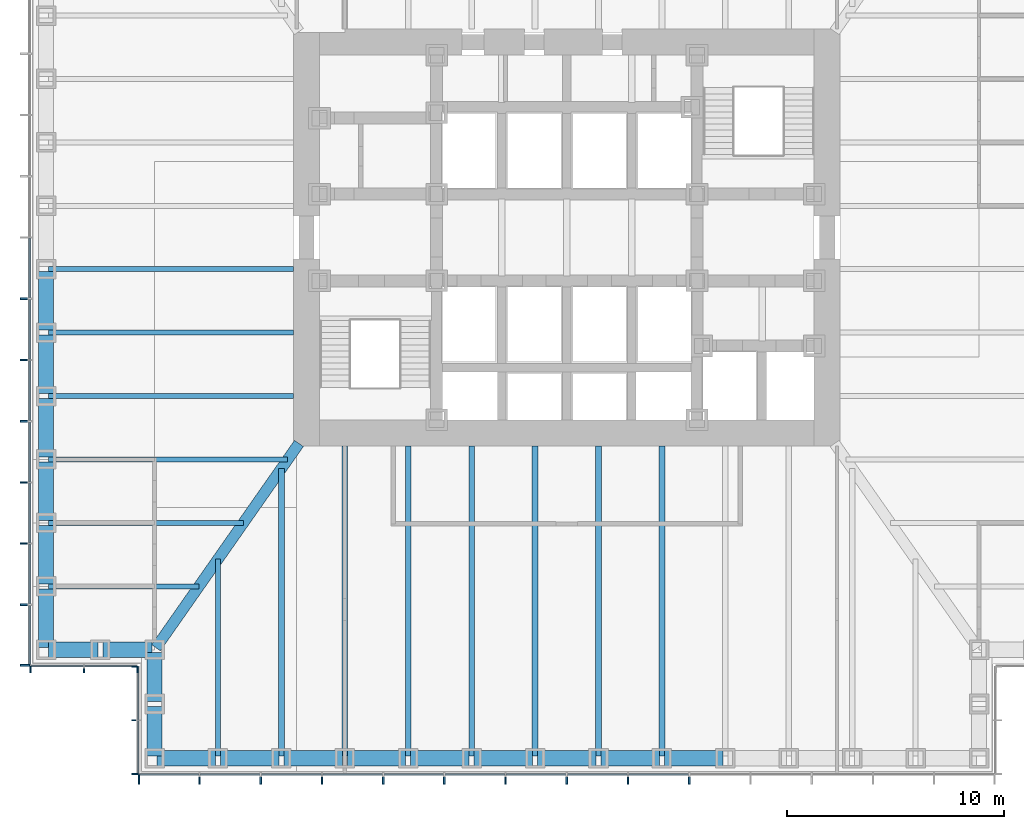
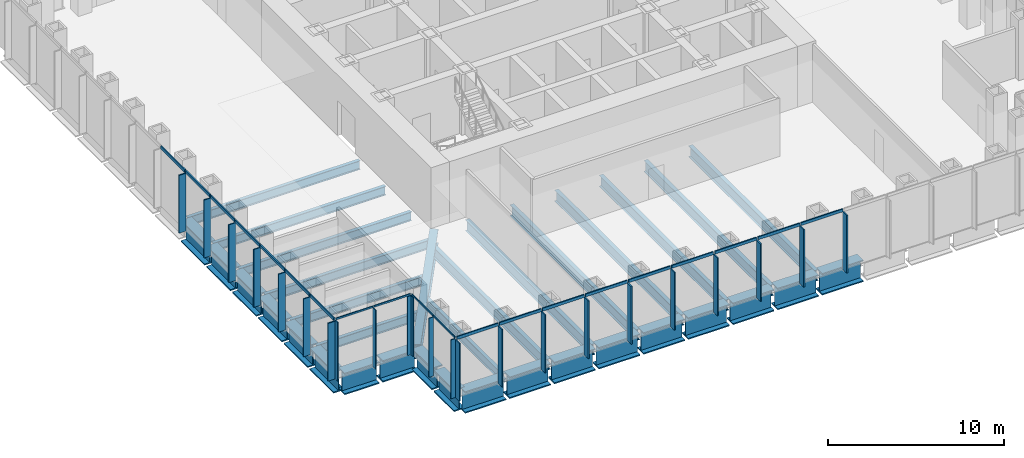
# One storey, part 2 of 17: 43 members, 34 beams, 4 elements without a shape of their own.
"""IFC4 building model written with IfcOpenShell, lengths in metres."""

from ifc_helpers import new_model, si_unit, direction, frame, origin, origin_2d, place, context, subcontext, project, spatial, rectangle, i_section, extrude, material, material_profile, profile_set, type_object, element, aggregate, save


model = new_model("IFC4")

# Units and contexts
model_context = context("Model", 3, precision=1e-05, world=origin(), true_north=direction((0.0, 1.0)))
body_context = subcontext(model_context, "Body", "Model", "MODEL_VIEW")
ifc_project = project(units=[si_unit("LENGTHUNIT", "METRE"), si_unit("AREAUNIT", "SQUARE_METRE"), si_unit("VOLUMEUNIT", "CUBIC_METRE"), si_unit("PLANEANGLEUNIT", "RADIAN"), si_unit("MASSUNIT", "GRAM", prefix="KILO")], contexts=[model_context])

# Site, building, storey
site_placement = place(None, origin())
site = spatial("IfcSite", under=ifc_project, at=site_placement, CompositionType="ELEMENT")
building_placement = place(site_placement, origin())
building = spatial("IfcBuilding", under=site, at=building_placement, Name="Daluyong Arena Tower", CompositionType="ELEMENT")
storey_placement = place(building_placement, frame((0.0, 0.0, 55.89990234375)))
storey = spatial("IfcBuildingStorey", under=building, at=storey_placement, Name="L11", CompositionType="ELEMENT", Elevation=55.89990234375)

# Curtain wall, members
ifc_material_1 = material(Name="Bronze anodised aluminium and glass", Category="aluminium")
curtain_wall_type_1 = type_object("IfcCurtainWallType", Name="Curtain wall CW1", PredefinedType="USERDEFINED", material=ifc_material_1)
curtain_wall_1_placement = place(storey_placement, origin())
curtain_wall_1 = element("IfcCurtainWall", 1, at=curtain_wall_1_placement, inside=storey, type_object=curtain_wall_type_1, Name="curtain wall L11 S", ObjectType="UNITISED CURTAIN WALL", PredefinedType="USERDEFINED")
ifc_material_2 = material(Name="Bronze anodised aluminium fin", Category="aluminium")
ifc_material_profile_1 = material_profile(ifc_material_2, rectangle(XDim=0.449951171875, YDim=0.080078125, at=origin_2d()))
ifc_profile_set_1 = profile_set([ifc_material_profile_1], Name="Bronze anodised aluminium fin")
member_type_1 = type_object("IfcMemberType", Name="CW1 bronze fin 450x80", PredefinedType="MULLION", material=ifc_profile_set_1)
member_1_placement = place(storey_placement, frame((36.2900390625, 55.02490234375, 0.0), z_axis=(0.0, 0.0, 1.0), x_axis=(0.0, 1.0, 0.0)))
member_1 = element("IfcMember", 2, at=member_1_placement, type_object=member_type_1, Name="curtain wall L11 S fin 1", PredefinedType="MULLION", context=body_context, shape_type="SweptSolid", body=[
    extrude(rectangle(XDim=0.449951171875, YDim=0.080078125, at=origin_2d()), origin(), (0.0, 0.0, 1.0), 4.0),
])
member_2_placement = place(storey_placement, frame((39.071533203125, 55.02490234375, 0.0), z_axis=(0.0, 0.0, 1.0), x_axis=(0.0, 1.0, 0.0)))
member_2 = element("IfcMember", 3, at=member_2_placement, type_object=member_type_1, Name="curtain wall L11 S fin 2", PredefinedType="MULLION", context=body_context, shape_type="SweptSolid", body=[
    extrude(rectangle(XDim=0.449951171875, YDim=0.080078125, at=origin_2d()), origin(), (0.0, 0.0, 1.0), 4.0),
])
member_3_placement = place(storey_placement, frame((41.892822265625, 55.02490234375, 0.0), z_axis=(0.0, 0.0, 1.0), x_axis=(0.0, 1.0, 0.0)))
member_3 = element("IfcMember", 4, at=member_3_placement, type_object=member_type_1, Name="curtain wall L11 S fin 3", PredefinedType="MULLION", context=body_context, shape_type="SweptSolid", body=[
    extrude(rectangle(XDim=0.449951171875, YDim=0.080078125, at=origin_2d()), origin(), (0.0, 0.0, 1.0), 4.0),
])
member_4_placement = place(storey_placement, frame((44.71435546875, 55.02490234375, 0.0), z_axis=(0.0, 0.0, 1.0), x_axis=(0.0, 1.0, 0.0)))
member_4 = element("IfcMember", 5, at=member_4_placement, type_object=member_type_1, Name="curtain wall L11 S fin 4", PredefinedType="MULLION", context=body_context, shape_type="SweptSolid", body=[
    extrude(rectangle(XDim=0.449951171875, YDim=0.080078125, at=origin_2d()), origin(), (0.0, 0.0, 1.0), 4.0),
])
member_5_placement = place(storey_placement, frame((47.53564453125, 55.02490234375, 0.0), z_axis=(0.0, 0.0, 1.0), x_axis=(0.0, 1.0, 0.0)))
member_5 = element("IfcMember", 6, at=member_5_placement, type_object=member_type_1, Name="curtain wall L11 S fin 5", PredefinedType="MULLION", context=body_context, shape_type="SweptSolid", body=[
    extrude(rectangle(XDim=0.449951171875, YDim=0.080078125, at=origin_2d()), origin(), (0.0, 0.0, 1.0), 4.0),
])
member_6_placement = place(storey_placement, frame((50.357177734375, 55.02490234375, 0.0), z_axis=(0.0, 0.0, 1.0), x_axis=(0.0, 1.0, 0.0)))
member_6 = element("IfcMember", 7, at=member_6_placement, type_object=member_type_1, Name="curtain wall L11 S fin 6", PredefinedType="MULLION", context=body_context, shape_type="SweptSolid", body=[
    extrude(rectangle(XDim=0.449951171875, YDim=0.080078125, at=origin_2d()), origin(), (0.0, 0.0, 1.0), 4.0),
])
member_7_placement = place(storey_placement, frame((53.178466796875, 55.02490234375, 0.0), z_axis=(0.0, 0.0, 1.0), x_axis=(0.0, 1.0, 0.0)))
member_7 = element("IfcMember", 8, at=member_7_placement, type_object=member_type_1, Name="curtain wall L11 S fin 7", PredefinedType="MULLION", context=body_context, shape_type="SweptSolid", body=[
    extrude(rectangle(XDim=0.449951171875, YDim=0.080078125, at=origin_2d()), origin(), (0.0, 0.0, 1.0), 4.0),
])
member_8_placement = place(storey_placement, frame((56.0, 55.02490234375, 0.0), z_axis=(0.0, 0.0, 1.0), x_axis=(0.0, 1.0, 0.0)))
member_8 = element("IfcMember", 9, at=member_8_placement, type_object=member_type_1, Name="curtain wall L11 S fin 8", PredefinedType="MULLION", context=body_context, shape_type="SweptSolid", body=[
    extrude(rectangle(XDim=0.449951171875, YDim=0.080078125, at=origin_2d()), origin(), (0.0, 0.0, 1.0), 4.0),
])
member_9_placement = place(storey_placement, frame((58.821533203125, 55.02490234375, 0.0), z_axis=(0.0, 0.0, 1.0), x_axis=(0.0, 1.0, 0.0)))
member_9 = element("IfcMember", 10, at=member_9_placement, type_object=member_type_1, Name="curtain wall L11 S fin 9", PredefinedType="MULLION", context=body_context, shape_type="SweptSolid", body=[
    extrude(rectangle(XDim=0.449951171875, YDim=0.080078125, at=origin_2d()), origin(), (0.0, 0.0, 1.0), 4.0),
])
member_10_placement = place(storey_placement, frame((61.642822265625, 55.02490234375, 0.0), z_axis=(0.0, 0.0, 1.0), x_axis=(0.0, 1.0, 0.0)))
member_10 = element("IfcMember", 11, at=member_10_placement, type_object=member_type_1, Name="curtain wall L11 S fin 10", PredefinedType="MULLION", context=body_context, shape_type="SweptSolid", body=[
    extrude(rectangle(XDim=0.449951171875, YDim=0.080078125, at=origin_2d()), origin(), (0.0, 0.0, 1.0), 4.0),
])

curtain_wall_2_placement = place(storey_placement, origin())
curtain_wall_2 = element("IfcCurtainWall", 12, at=curtain_wall_2_placement, inside=storey, type_object=curtain_wall_type_1, Name="curtain wall L11 W", ObjectType="UNITISED CURTAIN WALL", PredefinedType="USERDEFINED")
member_11_placement = place(storey_placement, frame((31.02490234375, 77.178466796875, 0.0), z_axis=(0.0, 0.0, 1.0), x_axis=(1.0, 0.0, 0.0)))
member_11 = element("IfcMember", 13, at=member_11_placement, type_object=member_type_1, Name="curtain wall L11 W fin 9", PredefinedType="MULLION", context=body_context, shape_type="SweptSolid", body=[
    extrude(rectangle(XDim=0.449951171875, YDim=0.080078125, at=origin_2d()), origin(), (0.0, 0.0, 1.0), 4.0),
])
member_12_placement = place(storey_placement, frame((31.02490234375, 74.357177734375, 0.0), z_axis=(0.0, 0.0, 1.0), x_axis=(1.0, 0.0, 0.0)))
member_12 = element("IfcMember", 14, at=member_12_placement, type_object=member_type_1, Name="curtain wall L11 W fin 10", PredefinedType="MULLION", context=body_context, shape_type="SweptSolid", body=[
    extrude(rectangle(XDim=0.449951171875, YDim=0.080078125, at=origin_2d()), origin(), (0.0, 0.0, 1.0), 4.0),
])
member_13_placement = place(storey_placement, frame((31.02490234375, 71.53564453125, 0.0), z_axis=(0.0, 0.0, 1.0), x_axis=(1.0, 0.0, 0.0)))
member_13 = element("IfcMember", 15, at=member_13_placement, type_object=member_type_1, Name="curtain wall L11 W fin 11", PredefinedType="MULLION", context=body_context, shape_type="SweptSolid", body=[
    extrude(rectangle(XDim=0.449951171875, YDim=0.080078125, at=origin_2d()), origin(), (0.0, 0.0, 1.0), 4.0),
])
member_14_placement = place(storey_placement, frame((31.02490234375, 68.71435546875, 0.0), z_axis=(0.0, 0.0, 1.0), x_axis=(1.0, 0.0, 0.0)))
member_14 = element("IfcMember", 16, at=member_14_placement, type_object=member_type_1, Name="curtain wall L11 W fin 12", PredefinedType="MULLION", context=body_context, shape_type="SweptSolid", body=[
    extrude(rectangle(XDim=0.449951171875, YDim=0.080078125, at=origin_2d()), origin(), (0.0, 0.0, 1.0), 4.0),
])
member_15_placement = place(storey_placement, frame((31.02490234375, 65.892822265625, 0.0), z_axis=(0.0, 0.0, 1.0), x_axis=(1.0, 0.0, 0.0)))
member_15 = element("IfcMember", 17, at=member_15_placement, type_object=member_type_1, Name="curtain wall L11 W fin 13", PredefinedType="MULLION", context=body_context, shape_type="SweptSolid", body=[
    extrude(rectangle(XDim=0.449951171875, YDim=0.080078125, at=origin_2d()), origin(), (0.0, 0.0, 1.0), 4.0),
])
member_16_placement = place(storey_placement, frame((31.02490234375, 63.071533203125, 0.0), z_axis=(0.0, 0.0, 1.0), x_axis=(1.0, 0.0, 0.0)))
member_16 = element("IfcMember", 18, at=member_16_placement, type_object=member_type_1, Name="curtain wall L11 W fin 14", PredefinedType="MULLION", context=body_context, shape_type="SweptSolid", body=[
    extrude(rectangle(XDim=0.449951171875, YDim=0.080078125, at=origin_2d()), origin(), (0.0, 0.0, 1.0), 4.0),
])
member_17_placement = place(storey_placement, frame((31.02490234375, 60.2900390625, 0.0), z_axis=(0.0, 0.0, 1.0), x_axis=(1.0, 0.0, 0.0)))
member_17 = element("IfcMember", 19, at=member_17_placement, type_object=member_type_1, Name="curtain wall L11 W fin 15", PredefinedType="MULLION", context=body_context, shape_type="SweptSolid", body=[
    extrude(rectangle(XDim=0.449951171875, YDim=0.080078125, at=origin_2d()), origin(), (0.0, 0.0, 1.0), 4.0),
])

# Member
ifc_material_3 = material(Name="Bronze anodised aluminium", Category="aluminium")
ifc_material_profile_2 = material_profile(ifc_material_3, rectangle(XDim=0.080078125, YDim=0.199951171875, at=origin_2d()))
ifc_profile_set_2 = profile_set([ifc_material_profile_2], Name="Bronze anodised aluminium")
member_type_2 = type_object("IfcMemberType", Name="CW1 stack transom 200x80", PredefinedType="USERDEFINED", material=ifc_profile_set_2)
member_18_placement = place(storey_placement, frame((36.330078125, 55.25, 4.10009765625), z_axis=(1.0, 0.0, 0.0), x_axis=(0.0, 1.0, 0.0)))
member_18 = element("IfcMember", 20, at=member_18_placement, type_object=member_type_2, Name="curtain wall L11 S transom 1", ObjectType="TRANSOM", PredefinedType="USERDEFINED", context=body_context, shape_type="SweptSolid", body=[
    extrude(rectangle(XDim=0.080078125, YDim=0.199951171875, at=origin_2d()), origin(), (0.0, 0.0, 1.0), 2.701416015625),
])

member_19_placement = place(storey_placement, frame((39.111328125, 55.25, 4.10009765625), z_axis=(1.0, 0.0, 0.0), x_axis=(0.0, 1.0, 0.0)))
member_19 = element("IfcMember", 21, at=member_19_placement, type_object=member_type_2, Name="curtain wall L11 S transom 2", ObjectType="TRANSOM", PredefinedType="USERDEFINED", context=body_context, shape_type="SweptSolid", body=[
    extrude(rectangle(XDim=0.080078125, YDim=0.199951171875, at=origin_2d()), origin(), (0.0, 0.0, 1.0), 2.741455078125),
])

member_20_placement = place(storey_placement, frame((41.932861328125, 55.25, 4.10009765625), z_axis=(1.0, 0.0, 0.0), x_axis=(0.0, 1.0, 0.0)))
member_20 = element("IfcMember", 22, at=member_20_placement, type_object=member_type_2, Name="curtain wall L11 S transom 3", ObjectType="TRANSOM", PredefinedType="USERDEFINED", context=body_context, shape_type="SweptSolid", body=[
    extrude(rectangle(XDim=0.080078125, YDim=0.199951171875, at=origin_2d()), origin(), (0.0, 0.0, 1.0), 2.741455078125),
])

member_21_placement = place(storey_placement, frame((44.75439453125, 55.25, 4.10009765625), z_axis=(1.0, 0.0, 0.0), x_axis=(0.0, 1.0, 0.0)))
member_21 = element("IfcMember", 23, at=member_21_placement, type_object=member_type_2, Name="curtain wall L11 S transom 4", ObjectType="TRANSOM", PredefinedType="USERDEFINED", context=body_context, shape_type="SweptSolid", body=[
    extrude(rectangle(XDim=0.080078125, YDim=0.199951171875, at=origin_2d()), origin(), (0.0, 0.0, 1.0), 2.7412109375),
])

member_22_placement = place(storey_placement, frame((47.57568359375, 55.25, 4.10009765625), z_axis=(1.0, 0.0, 0.0), x_axis=(0.0, 1.0, 0.0)))
member_22 = element("IfcMember", 24, at=member_22_placement, type_object=member_type_2, Name="curtain wall L11 S transom 5", ObjectType="TRANSOM", PredefinedType="USERDEFINED", context=body_context, shape_type="SweptSolid", body=[
    extrude(rectangle(XDim=0.080078125, YDim=0.199951171875, at=origin_2d()), origin(), (0.0, 0.0, 1.0), 2.741455078125),
])

member_23_placement = place(storey_placement, frame((50.397216796875, 55.25, 4.10009765625), z_axis=(1.0, 0.0, 0.0), x_axis=(0.0, 1.0, 0.0)))
member_23 = element("IfcMember", 25, at=member_23_placement, type_object=member_type_2, Name="curtain wall L11 S transom 6", ObjectType="TRANSOM", PredefinedType="USERDEFINED", context=body_context, shape_type="SweptSolid", body=[
    extrude(rectangle(XDim=0.080078125, YDim=0.199951171875, at=origin_2d()), origin(), (0.0, 0.0, 1.0), 2.741455078125),
])

member_24_placement = place(storey_placement, frame((53.218505859375, 55.25, 4.10009765625), z_axis=(1.0, 0.0, 0.0), x_axis=(0.0, 1.0, 0.0)))
member_24 = element("IfcMember", 26, at=member_24_placement, type_object=member_type_2, Name="curtain wall L11 S transom 7", ObjectType="TRANSOM", PredefinedType="USERDEFINED", context=body_context, shape_type="SweptSolid", body=[
    extrude(rectangle(XDim=0.080078125, YDim=0.199951171875, at=origin_2d()), origin(), (0.0, 0.0, 1.0), 2.741455078125),
])

member_25_placement = place(storey_placement, frame((56.0400390625, 55.25, 4.10009765625), z_axis=(1.0, 0.0, 0.0), x_axis=(0.0, 1.0, 0.0)))
member_25 = element("IfcMember", 27, at=member_25_placement, type_object=member_type_2, Name="curtain wall L11 S transom 8", ObjectType="TRANSOM", PredefinedType="USERDEFINED", context=body_context, shape_type="SweptSolid", body=[
    extrude(rectangle(XDim=0.080078125, YDim=0.199951171875, at=origin_2d()), origin(), (0.0, 0.0, 1.0), 2.741455078125),
])

member_26_placement = place(storey_placement, frame((58.861328125, 55.25, 4.10009765625), z_axis=(1.0, 0.0, 0.0), x_axis=(0.0, 1.0, 0.0)))
member_26 = element("IfcMember", 28, at=member_26_placement, type_object=member_type_2, Name="curtain wall L11 S transom 9", ObjectType="TRANSOM", PredefinedType="USERDEFINED", context=body_context, shape_type="SweptSolid", body=[
    extrude(rectangle(XDim=0.080078125, YDim=0.199951171875, at=origin_2d()), origin(), (0.0, 0.0, 1.0), 2.741455078125),
])

aggregate(curtain_wall_1, [member_1, member_2, member_3, member_4, member_5, member_6, member_7, member_8, member_9, member_10, member_18, member_19, member_20, member_21, member_22, member_23, member_24, member_25, member_26])

member_27_placement = place(storey_placement, frame((31.25, 79.9599609375, 4.10009765625), z_axis=(0.0, -1.0, 0.0), x_axis=(1.0, 0.0, 0.0)))
member_27 = element("IfcMember", 29, at=member_27_placement, type_object=member_type_2, Name="curtain wall L11 W transom 8", ObjectType="TRANSOM", PredefinedType="USERDEFINED", context=body_context, shape_type="SweptSolid", body=[
    extrude(rectangle(XDim=0.080078125, YDim=0.199951171875, at=origin_2d()), origin(), (0.0, 0.0, 1.0), 2.741455078125),
])

member_28_placement = place(storey_placement, frame((31.25, 77.138671875, 4.10009765625), z_axis=(0.0, -1.0, 0.0), x_axis=(1.0, 0.0, 0.0)))
member_28 = element("IfcMember", 30, at=member_28_placement, type_object=member_type_2, Name="curtain wall L11 W transom 9", ObjectType="TRANSOM", PredefinedType="USERDEFINED", context=body_context, shape_type="SweptSolid", body=[
    extrude(rectangle(XDim=0.080078125, YDim=0.199951171875, at=origin_2d()), origin(), (0.0, 0.0, 1.0), 2.741455078125),
])

member_29_placement = place(storey_placement, frame((31.25, 74.317138671875, 4.10009765625), z_axis=(0.0, -1.0, 0.0), x_axis=(1.0, 0.0, 0.0)))
member_29 = element("IfcMember", 31, at=member_29_placement, type_object=member_type_2, Name="curtain wall L11 W transom 10", ObjectType="TRANSOM", PredefinedType="USERDEFINED", context=body_context, shape_type="SweptSolid", body=[
    extrude(rectangle(XDim=0.080078125, YDim=0.199951171875, at=origin_2d()), origin(), (0.0, 0.0, 1.0), 2.741455078125),
])

member_30_placement = place(storey_placement, frame((31.25, 71.49560546875, 4.10009765625), z_axis=(0.0, -1.0, 0.0), x_axis=(1.0, 0.0, 0.0)))
member_30 = element("IfcMember", 32, at=member_30_placement, type_object=member_type_2, Name="curtain wall L11 W transom 11", ObjectType="TRANSOM", PredefinedType="USERDEFINED", context=body_context, shape_type="SweptSolid", body=[
    extrude(rectangle(XDim=0.080078125, YDim=0.199951171875, at=origin_2d()), origin(), (0.0, 0.0, 1.0), 2.7412109375),
])

member_31_placement = place(storey_placement, frame((31.25, 68.67431640625, 4.10009765625), z_axis=(0.0, -1.0, 0.0), x_axis=(1.0, 0.0, 0.0)))
member_31 = element("IfcMember", 33, at=member_31_placement, type_object=member_type_2, Name="curtain wall L11 W transom 12", ObjectType="TRANSOM", PredefinedType="USERDEFINED", context=body_context, shape_type="SweptSolid", body=[
    extrude(rectangle(XDim=0.080078125, YDim=0.199951171875, at=origin_2d()), origin(), (0.0, 0.0, 1.0), 2.741455078125),
])

member_32_placement = place(storey_placement, frame((31.25, 65.852783203125, 4.10009765625), z_axis=(0.0, -1.0, 0.0), x_axis=(1.0, 0.0, 0.0)))
member_32 = element("IfcMember", 34, at=member_32_placement, type_object=member_type_2, Name="curtain wall L11 W transom 13", ObjectType="TRANSOM", PredefinedType="USERDEFINED", context=body_context, shape_type="SweptSolid", body=[
    extrude(rectangle(XDim=0.080078125, YDim=0.199951171875, at=origin_2d()), origin(), (0.0, 0.0, 1.0), 2.741455078125),
])

member_33_placement = place(storey_placement, frame((31.25, 63.031494140625, 4.10009765625), z_axis=(0.0, -1.0, 0.0), x_axis=(1.0, 0.0, 0.0)))
member_33 = element("IfcMember", 35, at=member_33_placement, type_object=member_type_2, Name="curtain wall L11 W transom 14", ObjectType="TRANSOM", PredefinedType="USERDEFINED", context=body_context, shape_type="SweptSolid", body=[
    extrude(rectangle(XDim=0.080078125, YDim=0.199951171875, at=origin_2d()), origin(), (0.0, 0.0, 1.0), 2.701416015625),
])

aggregate(curtain_wall_2, [member_11, member_12, member_13, member_14, member_15, member_16, member_17, member_27, member_28, member_29, member_30, member_31, member_32, member_33])

# Curtain wall, members
ifc_material_4 = material(Name="Bronze anodised aluminium and glass", Category="aluminium")
curtain_wall_type_2 = type_object("IfcCurtainWallType", Name="Curtain wall CW7", PredefinedType="USERDEFINED", material=ifc_material_4)
curtain_wall_3_placement = place(storey_placement, origin())
curtain_wall_3 = element("IfcCurtainWall", 36, at=curtain_wall_3_placement, inside=storey, type_object=curtain_wall_type_2, Name="curtain wall L11 SW-S", ObjectType="UNITISED CURTAIN WALL", PredefinedType="USERDEFINED")
ifc_material_5 = material(Name="Bronze anodised aluminium fin", Category="aluminium")
ifc_material_profile_3 = material_profile(ifc_material_5, rectangle(XDim=0.300048828125, YDim=0.06005859375, at=origin_2d()))
ifc_profile_set_3 = profile_set([ifc_material_profile_3], Name="Bronze anodised aluminium fin")
member_type_3 = type_object("IfcMemberType", Name="CW7 bronze fin 300x60", PredefinedType="MULLION", material=ifc_profile_set_3)
member_34_placement = place(storey_placement, frame((31.280029296875, 60.10009765625, 0.0), z_axis=(0.0, 0.0, 1.0), x_axis=(0.0, 1.0, 0.0)))
member_34 = element("IfcMember", 37, at=member_34_placement, type_object=member_type_3, Name="curtain wall L11 SW-S fin 1", PredefinedType="MULLION", context=body_context, shape_type="SweptSolid", body=[
    extrude(rectangle(XDim=0.300048828125, YDim=0.06005859375, at=origin_2d()), origin(), (0.0, 0.0, 1.0), 4.080078125),
])
member_35_placement = place(storey_placement, frame((33.75, 60.10009765625, 0.0), z_axis=(0.0, 0.0, 1.0), x_axis=(0.0, 1.0, 0.0)))
member_35 = element("IfcMember", 38, at=member_35_placement, type_object=member_type_3, Name="curtain wall L11 SW-S fin 2", PredefinedType="MULLION", context=body_context, shape_type="SweptSolid", body=[
    extrude(rectangle(XDim=0.300048828125, YDim=0.06005859375, at=origin_2d()), origin(), (0.0, 0.0, 1.0), 4.080078125),
])
member_36_placement = place(storey_placement, frame((36.219970703125, 60.10009765625, 0.0), z_axis=(0.0, 0.0, 1.0), x_axis=(0.0, 1.0, 0.0)))
member_36 = element("IfcMember", 39, at=member_36_placement, type_object=member_type_3, Name="curtain wall L11 SW-S fin 3", PredefinedType="MULLION", context=body_context, shape_type="SweptSolid", body=[
    extrude(rectangle(XDim=0.300048828125, YDim=0.06005859375, at=origin_2d()), origin(), (0.0, 0.0, 1.0), 4.080078125),
])

curtain_wall_4_placement = place(storey_placement, origin())
curtain_wall_4 = element("IfcCurtainWall", 40, at=curtain_wall_4_placement, inside=storey, type_object=curtain_wall_type_2, Name="curtain wall L11 SW-W", ObjectType="UNITISED CURTAIN WALL", PredefinedType="USERDEFINED")
member_37_placement = place(storey_placement, frame((36.10009765625, 60.219970703125, 0.0), z_axis=(0.0, 0.0, 1.0), x_axis=(1.0, 0.0, 0.0)))
member_37 = element("IfcMember", 41, at=member_37_placement, type_object=member_type_3, Name="curtain wall L11 SW-W fin 1", PredefinedType="MULLION", context=body_context, shape_type="SweptSolid", body=[
    extrude(rectangle(XDim=0.300048828125, YDim=0.06005859375, at=origin_2d()), origin(), (0.0, 0.0, 1.0), 4.080078125),
])
member_38_placement = place(storey_placement, frame((36.10009765625, 57.75, 0.0), z_axis=(0.0, 0.0, 1.0), x_axis=(1.0, 0.0, 0.0)))
member_38 = element("IfcMember", 42, at=member_38_placement, type_object=member_type_3, Name="curtain wall L11 SW-W fin 2", PredefinedType="MULLION", context=body_context, shape_type="SweptSolid", body=[
    extrude(rectangle(XDim=0.300048828125, YDim=0.06005859375, at=origin_2d()), origin(), (0.0, 0.0, 1.0), 4.080078125),
])
member_39_placement = place(storey_placement, frame((36.10009765625, 55.280029296875, 0.0), z_axis=(0.0, 0.0, 1.0), x_axis=(1.0, 0.0, 0.0)))
member_39 = element("IfcMember", 43, at=member_39_placement, type_object=member_type_3, Name="curtain wall L11 SW-W fin 3", PredefinedType="MULLION", context=body_context, shape_type="SweptSolid", body=[
    extrude(rectangle(XDim=0.300048828125, YDim=0.06005859375, at=origin_2d()), origin(), (0.0, 0.0, 1.0), 4.080078125),
])

# Member
ifc_material_6 = material(Name="Bronze anodised aluminium", Category="aluminium")
ifc_material_profile_4 = material_profile(ifc_material_6, rectangle(XDim=0.06005859375, YDim=0.1201171875, at=origin_2d()))
ifc_profile_set_4 = profile_set([ifc_material_profile_4], Name="Bronze anodised aluminium")
member_type_4 = type_object("IfcMemberType", Name="CW7 stack transom 120x60", PredefinedType="USERDEFINED", material=ifc_profile_set_4)
member_40_placement = place(storey_placement, frame((31.31005859375, 60.25, 4.14013671875), z_axis=(1.0, 0.0, 0.0), x_axis=(0.0, 1.0, 0.0)))
member_40 = element("IfcMember", 44, at=member_40_placement, type_object=member_type_4, Name="curtain wall L11 SW-S transom 1", ObjectType="TRANSOM", PredefinedType="USERDEFINED", context=body_context, shape_type="SweptSolid", body=[
    extrude(rectangle(XDim=0.06005859375, YDim=0.1201171875, at=origin_2d()), origin(), (0.0, 0.0, 1.0), 2.409912109375),
])

member_41_placement = place(storey_placement, frame((33.780029296875, 60.25, 4.14013671875), z_axis=(1.0, 0.0, 0.0), x_axis=(0.0, 1.0, 0.0)))
member_41 = element("IfcMember", 45, at=member_41_placement, type_object=member_type_4, Name="curtain wall L11 SW-S transom 2", ObjectType="TRANSOM", PredefinedType="USERDEFINED", context=body_context, shape_type="SweptSolid", body=[
    extrude(rectangle(XDim=0.06005859375, YDim=0.1201171875, at=origin_2d()), origin(), (0.0, 0.0, 1.0), 2.409912109375),
])

aggregate(curtain_wall_3, [member_34, member_35, member_36, member_40, member_41])

member_42_placement = place(storey_placement, frame((36.25, 60.18994140625, 4.14013671875), z_axis=(0.0, -1.0, 0.0), x_axis=(1.0, 0.0, 0.0)))
member_42 = element("IfcMember", 46, at=member_42_placement, type_object=member_type_4, Name="curtain wall L11 SW-W transom 1", ObjectType="TRANSOM", PredefinedType="USERDEFINED", context=body_context, shape_type="SweptSolid", body=[
    extrude(rectangle(XDim=0.06005859375, YDim=0.1201171875, at=origin_2d()), origin(), (0.0, 0.0, 1.0), 2.409912109375),
])

member_43_placement = place(storey_placement, frame((36.25, 57.719970703125, 4.14013671875), z_axis=(0.0, -1.0, 0.0), x_axis=(1.0, 0.0, 0.0)))
member_43 = element("IfcMember", 47, at=member_43_placement, type_object=member_type_4, Name="curtain wall L11 SW-W transom 2", ObjectType="TRANSOM", PredefinedType="USERDEFINED", context=body_context, shape_type="SweptSolid", body=[
    extrude(rectangle(XDim=0.06005859375, YDim=0.1201171875, at=origin_2d()), origin(), (0.0, 0.0, 1.0), 2.409912109375),
])

aggregate(curtain_wall_4, [member_37, member_38, member_39, member_42, member_43])

# Beams
ifc_material_7 = material(Name="Steel ASTM A572 Grade 50", Category="steel")
ifc_material_profile_5 = material_profile(ifc_material_7, i_section(OverallWidth=0.5, OverallDepth=1.0, WebThickness=0.03, FlangeThickness=0.06, at=origin_2d()))
ifc_profile_set_5 = profile_set([ifc_material_profile_5], Name="Steel ASTM A572 Grade 50")
beam_type_1 = type_object("IfcBeamType", Name="Corner girder TB1000X500", PredefinedType="BEAM", material=ifc_profile_set_5)
beam_1_placement = place(storey_placement, frame((37.06591796875, 61.09423828125, -0.659912109375), z_axis=(0.573466621875, 0.819228926244, 0.0), x_axis=(-0.819228926244, 0.573466621875, 0.0)))
element("IfcBeam", 48, at=beam_1_placement, inside=storey, type_object=beam_type_1, Name="corner girder DG2", PredefinedType="BEAM", context=body_context, shape_type="SweptSolid", body=[
    extrude(i_section(OverallWidth=0.5, OverallDepth=1.0, WebThickness=0.03, FlangeThickness=0.06, at=origin_2d()), origin(), (0.0, 0.0, 1.0), 11.49169921875),
])
ifc_material_8 = material(Name="Steel ASTM A992 Grade 50", Category="steel")
ifc_material_profile_6 = material_profile(ifc_material_8, i_section(OverallWidth=0.22900390625, OverallDepth=0.612060546875, WebThickness=0.011962890625, FlangeThickness=0.01953125, at=origin_2d()))
ifc_profile_set_6 = profile_set([ifc_material_profile_6], Name="Steel ASTM A992 Grade 50")
beam_type_2 = type_object("IfcBeamType", Name="Floor beam W24X84", PredefinedType="BEAM", material=ifc_profile_set_6)
beam_2_placement = place(storey_placement, frame((39.923095703125, 56.114990234375, -0.466064453125), z_axis=(0.0, 1.0, 0.0), x_axis=(-1.0, 0.0, 0.0)))
element("IfcBeam", 49, at=beam_2_placement, inside=storey, type_object=beam_type_2, Name="floor beam FB3", PredefinedType="BEAM", context=body_context, shape_type="SweptSolid", body=[
    extrude(i_section(OverallWidth=0.22900390625, OverallDepth=0.612060546875, WebThickness=0.011962890625, FlangeThickness=0.01953125, at=origin_2d()), origin(), (0.0, 0.0, 1.0), 9.060791015625),
])
for number, where, z_axis, x_axis, name in (
    (50, (32.114990234375, 78.53857421875, -0.466064453125), (1.0, 0.0, 0.0), (0.0, 1.0, 0.0), "floor beam FB3"),
    (51, (32.114990234375, 75.615478515625, -0.466064453125), (1.0, 0.0, 0.0), (0.0, 1.0, 0.0), "floor beam FB3"),
    (52, (32.114990234375, 72.6923828125, -0.466064453125), (1.0, 0.0, 0.0), (0.0, 1.0, 0.0), "floor beam FB3"),
):
    element("IfcBeam", number, at=place(storey_placement, frame(where, z_axis=z_axis, x_axis=x_axis)), inside=storey, type_object=beam_type_2, Name=name, PredefinedType="BEAM", context=body_context, shape_type="SweptSolid", body=[
        extrude(i_section(OverallWidth=0.22900390625, OverallDepth=0.612060546875, WebThickness=0.011962890625, FlangeThickness=0.01953125, at=origin_2d()), origin(), (0.0, 0.0, 1.0), 11.284912109375),
    ])
beam_3_placement = place(storey_placement, frame((32.114990234375, 69.769287109375, -0.466064453125), z_axis=(1.0, 0.0, 0.0), x_axis=(0.0, 1.0, 0.0)))
element("IfcBeam", 53, at=beam_3_placement, inside=storey, type_object=beam_type_2, Name="floor beam FB3", PredefinedType="BEAM", context=body_context, shape_type="SweptSolid", body=[
    extrude(i_section(OverallWidth=0.22900390625, OverallDepth=0.612060546875, WebThickness=0.011962890625, FlangeThickness=0.01953125, at=origin_2d()), origin(), (0.0, 0.0, 1.0), 11.0234375),
])
beam_4_placement = place(storey_placement, frame((32.114990234375, 66.84619140625, -0.466064453125), z_axis=(1.0, 0.0, 0.0), x_axis=(0.0, 1.0, 0.0)))
element("IfcBeam", 54, at=beam_4_placement, inside=storey, type_object=beam_type_2, Name="floor beam FB3", PredefinedType="BEAM", context=body_context, shape_type="SweptSolid", body=[
    extrude(i_section(OverallWidth=0.22900390625, OverallDepth=0.612060546875, WebThickness=0.011962890625, FlangeThickness=0.01953125, at=origin_2d()), origin(), (0.0, 0.0, 1.0), 8.977294921875),
])
beam_5_placement = place(storey_placement, frame((32.114990234375, 63.923095703125, -0.466064453125), z_axis=(1.0, 0.0, 0.0), x_axis=(0.0, 1.0, 0.0)))
element("IfcBeam", 55, at=beam_5_placement, inside=storey, type_object=beam_type_2, Name="floor beam FB3", PredefinedType="BEAM", context=body_context, shape_type="SweptSolid", body=[
    extrude(i_section(OverallWidth=0.22900390625, OverallDepth=0.612060546875, WebThickness=0.011962890625, FlangeThickness=0.01953125, at=origin_2d()), origin(), (0.0, 0.0, 1.0), 6.93115234375),
])
ifc_material_9 = material(Name="Steel ASTM A992 Grade 50", Category="steel")
ifc_material_profile_7 = material_profile(ifc_material_9, i_section(OverallWidth=0.2666015625, OverallDepth=0.761962890625, WebThickness=0.014404296875, FlangeThickness=0.021484375, at=origin_2d()))
ifc_profile_set_7 = profile_set([ifc_material_profile_7], Name="Steel ASTM A992 Grade 50")
beam_type_3 = type_object("IfcBeamType", Name="Floor beam W30X116", PredefinedType="BEAM", material=ifc_profile_set_7)
beam_6_placement = place(storey_placement, frame((42.84619140625, 56.114990234375, -0.541015625), z_axis=(0.0, 1.0, 0.0), x_axis=(-1.0, 0.0, 0.0)))
element("IfcBeam", 56, at=beam_6_placement, inside=storey, type_object=beam_type_3, Name="floor beam FB4", PredefinedType="BEAM", context=body_context, shape_type="SweptSolid", body=[
    extrude(i_section(OverallWidth=0.2666015625, OverallDepth=0.761962890625, WebThickness=0.014404296875, FlangeThickness=0.021484375, at=origin_2d()), origin(), (0.0, 0.0, 1.0), 13.236572265625),
])
for number, where, z_axis, x_axis, name in (
    (57, (45.769287109375, 56.114990234375, -0.541015625), (0.0, 1.0, 0.0), (-1.0, 0.0, 0.0), "floor beam FB4"),
    (58, (48.6923828125, 56.114990234375, -0.541015625), (0.0, 1.0, 0.0), (-1.0, 0.0, 0.0), "floor beam FB4"),
    (59, (51.615478515625, 56.114990234375, -0.541015625), (0.0, 1.0, 0.0), (-1.0, 0.0, 0.0), "floor beam FB4"),
    (60, (54.53857421875, 56.114990234375, -0.541015625), (0.0, 1.0, 0.0), (-1.0, 0.0, 0.0), "floor beam FB4"),
    (61, (57.46142578125, 56.114990234375, -0.541015625), (0.0, 1.0, 0.0), (-1.0, 0.0, 0.0), "floor beam FB4"),
    (62, (60.384521484375, 56.114990234375, -0.541015625), (0.0, 1.0, 0.0), (-1.0, 0.0, 0.0), "floor beam FB4"),
):
    element("IfcBeam", number, at=place(storey_placement, frame(where, z_axis=z_axis, x_axis=x_axis)), inside=storey, type_object=beam_type_3, Name=name, PredefinedType="BEAM", context=body_context, shape_type="SweptSolid", body=[
        extrude(i_section(OverallWidth=0.2666015625, OverallDepth=0.761962890625, WebThickness=0.014404296875, FlangeThickness=0.021484375, at=origin_2d()), origin(), (0.0, 0.0, 1.0), 14.284912109375),
    ])
ifc_material_10 = material(Name="Steel ASTM A572 Grade 50", Category="steel")
ifc_material_profile_8 = material_profile(ifc_material_10, i_section(OverallWidth=0.699951171875, OverallDepth=1.5, WebThickness=0.04, FlangeThickness=0.08, at=origin_2d()))
ifc_profile_set_8 = profile_set([ifc_material_profile_8], Name="Steel ASTM A572 Grade 50")
beam_type_4 = type_object("IfcBeamType", Name="Spandrel Z1 PG1500X700", PredefinedType="SPANDREL", material=ifc_profile_set_8)
for number, where, z_axis, x_axis, name in (
    (63, (37.114990234375, 56.0, -0.909912109375), (1.0, 0.0, 0.0), (0.0, 1.0, 0.0), "spandrel z1 SB4"),
    (64, (40.0380859375, 56.0, -0.909912109375), (1.0, 0.0, 0.0), (0.0, 1.0, 0.0), "spandrel z1 SB4"),
    (65, (42.961181640625, 56.0, -0.909912109375), (1.0, 0.0, 0.0), (0.0, 1.0, 0.0), "spandrel z1 SB4"),
    (66, (45.88427734375, 56.0, -0.909912109375), (1.0, 0.0, 0.0), (0.0, 1.0, 0.0), "spandrel z1 SB4"),
    (67, (48.807373046875, 56.0, -0.909912109375), (1.0, 0.0, 0.0), (0.0, 1.0, 0.0), "spandrel z1 SB4"),
    (68, (51.73046875, 56.0, -0.909912109375), (1.0, 0.0, 0.0), (0.0, 1.0, 0.0), "spandrel z1 SB4"),
):
    element("IfcBeam", number, at=place(storey_placement, frame(where, z_axis=z_axis, x_axis=x_axis)), inside=storey, type_object=beam_type_4, Name=name, PredefinedType="SPANDREL", context=body_context, shape_type="SweptSolid", body=[
        extrude(i_section(OverallWidth=0.699951171875, OverallDepth=1.5, WebThickness=0.04, FlangeThickness=0.08, at=origin_2d()), origin(), (0.0, 0.0, 1.0), 2.693115234375),
    ])
beam_7_placement = place(storey_placement, frame((54.653564453125, 56.0, -0.909912109375), z_axis=(1.0, 0.0, 0.0), x_axis=(0.0, 1.0, 0.0)))
element("IfcBeam", 69, at=beam_7_placement, inside=storey, type_object=beam_type_4, Name="spandrel z1 SB4", PredefinedType="SPANDREL", context=body_context, shape_type="SweptSolid", body=[
    extrude(i_section(OverallWidth=0.699951171875, OverallDepth=1.5, WebThickness=0.04, FlangeThickness=0.08, at=origin_2d()), origin(), (0.0, 0.0, 1.0), 2.69287109375),
])
for number, where, z_axis, x_axis, name in (
    (70, (57.576416015625, 56.0, -0.909912109375), (1.0, 0.0, 0.0), (0.0, 1.0, 0.0), "spandrel z1 SB4"),
    (71, (60.49951171875, 56.0, -0.909912109375), (1.0, 0.0, 0.0), (0.0, 1.0, 0.0), "spandrel z1 SB4"),
    (72, (32.0, 78.423583984375, -0.909912109375), (0.0, -1.0, 0.0), (1.0, 0.0, 0.0), "spandrel z1 SB4"),
    (73, (32.0, 75.50048828125, -0.909912109375), (0.0, -1.0, 0.0), (1.0, 0.0, 0.0), "spandrel z1 SB4"),
    (74, (32.0, 72.577392578125, -0.909912109375), (0.0, -1.0, 0.0), (1.0, 0.0, 0.0), "spandrel z1 SB4"),
    (75, (32.0, 69.654296875, -0.909912109375), (0.0, -1.0, 0.0), (1.0, 0.0, 0.0), "spandrel z1 SB4"),
    (76, (32.0, 66.731201171875, -0.909912109375), (0.0, -1.0, 0.0), (1.0, 0.0, 0.0), "spandrel z1 SB4"),
    (77, (32.0, 63.80810546875, -0.909912109375), (0.0, -1.0, 0.0), (1.0, 0.0, 0.0), "spandrel z1 SB4"),
):
    element("IfcBeam", number, at=place(storey_placement, frame(where, z_axis=z_axis, x_axis=x_axis)), inside=storey, type_object=beam_type_4, Name=name, PredefinedType="SPANDREL", context=body_context, shape_type="SweptSolid", body=[
        extrude(i_section(OverallWidth=0.699951171875, OverallDepth=1.5, WebThickness=0.04, FlangeThickness=0.08, at=origin_2d()), origin(), (0.0, 0.0, 1.0), 2.693115234375),
    ])
for number, where, z_axis, x_axis, name in (
    (78, (32.114990234375, 61.0, -0.909912109375), (1.0, 0.0, 0.0), (0.0, 1.0, 0.0), "spandrel z1 SB4"),
    (79, (34.614990234375, 61.0, -0.909912109375), (1.0, 0.0, 0.0), (0.0, 1.0, 0.0), "spandrel z1 SB4"),
    (80, (37.0, 60.885009765625, -0.909912109375), (0.0, -1.0, 0.0), (1.0, 0.0, 0.0), "spandrel z1 SB4"),
    (81, (37.0, 58.385009765625, -0.909912109375), (0.0, -1.0, 0.0), (1.0, 0.0, 0.0), "spandrel z1 SB4"),
):
    element("IfcBeam", number, at=place(storey_placement, frame(where, z_axis=z_axis, x_axis=x_axis)), inside=storey, type_object=beam_type_4, Name=name, PredefinedType="SPANDREL", context=body_context, shape_type="SweptSolid", body=[
        extrude(i_section(OverallWidth=0.699951171875, OverallDepth=1.5, WebThickness=0.04, FlangeThickness=0.08, at=origin_2d()), origin(), (0.0, 0.0, 1.0), 2.27001953125),
    ])

save(model, "model.ifc")
